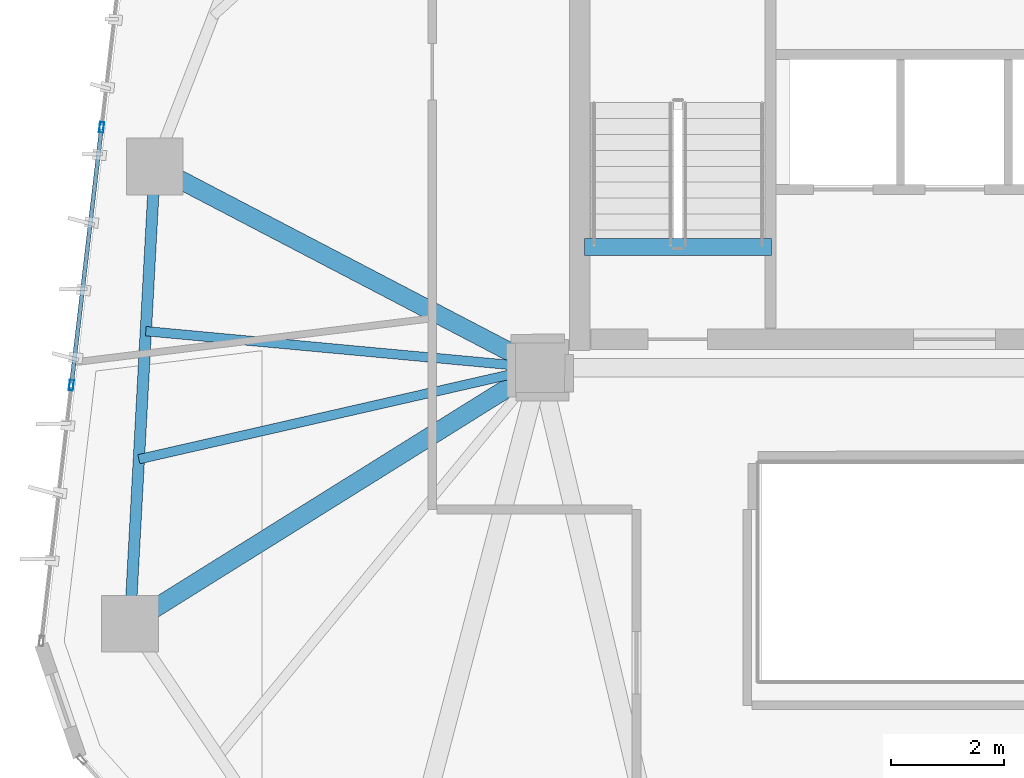
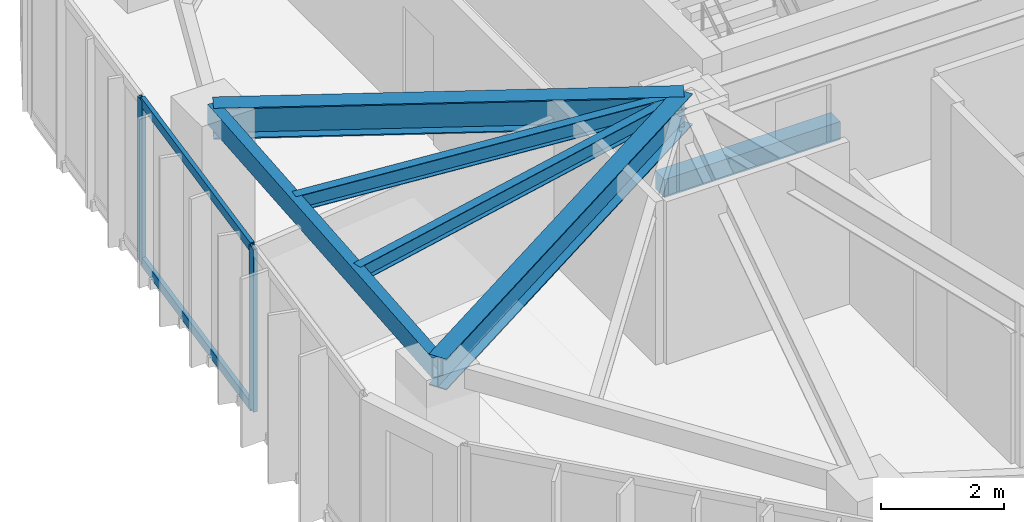
# One storey, part 8 of 22: 6 beams, 4 members, 1 element without a shape of its own.
"""IFC4 building model written with IfcOpenShell, lengths in metres."""

from ifc_helpers import new_model, si_unit, direction, frame, origin, origin_2d, place, context, subcontext, project, spatial, rectangle, hollow_rectangle, i_section, extrude, source, transform, mapped, material, layer, layer_set, material_profile, profile_set, type_object, type_shapes, element, aggregate, save


model = new_model("IFC4")

# Units and contexts
model_context = context("Model", 3, precision=1e-05, world=origin(), true_north=direction((0.0, 1.0)))
body_context = subcontext(model_context, "Body", "Model", "MODEL_VIEW")
ifc_project = project(units=[si_unit("LENGTHUNIT", "METRE"), si_unit("AREAUNIT", "SQUARE_METRE"), si_unit("VOLUMEUNIT", "CUBIC_METRE"), si_unit("PLANEANGLEUNIT", "RADIAN"), si_unit("MASSUNIT", "GRAM", prefix="KILO")], contexts=[model_context])

# Site, building, storey
site_placement = place(None, origin())
site = spatial("IfcSite", under=ifc_project, at=site_placement, CompositionType="ELEMENT")
building_placement = place(site_placement, origin())
building = spatial("IfcBuilding", under=site, at=building_placement, Name="Talar Marvaseh", CompositionType="ELEMENT")
storey_placement = place(building_placement, frame((0.0, 0.0, 208.199951171875)))
storey = spatial("IfcBuildingStorey", under=building, at=storey_placement, Name="L54", CompositionType="ELEMENT", Elevation=208.199951171875)

# Beams
ifc_material_1 = material(Name="Concrete C40/50", Category="concrete")
ifc_material_profile_1 = material_profile(ifc_material_1, rectangle(XDim=0.300048828125, YDim=0.360107421875, at=origin_2d()), Name="RC300x360")
ifc_profile_set_1 = profile_set([ifc_material_profile_1], Name="Concrete C40/50")
beam_type_1 = type_object("IfcBeamType", Name="Concrete Stair Landing Trimmer Beam RC300x360", PredefinedType="SPANDREL", material=ifc_profile_set_1)
beam_1_placement = place(storey_placement, frame((22.780029296875, 27.6298828125, -0.179931640625), z_axis=(-1.0, 0.0, 0.0), x_axis=(0.0, -1.0, 0.0)))
element("IfcBeam", 1, at=beam_1_placement, inside=storey, type_object=beam_type_1, Name="L54 ST-1 Stair Nosing Trimmer Beam", PredefinedType="SPANDREL", context=body_context, shape_type="SweptSolid", body=[
    extrude(rectangle(XDim=0.300048828125, YDim=0.360107421875, at=origin_2d()), origin(), (0.0, 0.0, 1.0), 3.300048828125),
])
ifc_material_2 = material(Name="Steel S355", Category="steel")
ifc_material_profile_2 = material_profile(ifc_material_2, hollow_rectangle(XDim=0.199951171875, YDim=0.39990234375, WallThickness=0.013916015625, at=origin_2d()), Name="RHS400x200x14")
ifc_profile_set_2 = profile_set([ifc_material_profile_2], Name="Steel S355")
beam_type_2 = type_object("IfcBeamType", Name="Zone 3 Perimeter Spandrel Beam RHS400x200x14", PredefinedType="SPANDREL", material=ifc_profile_set_2)
beam_2_placement = place(storey_placement, frame((11.471923828125, 20.986083984375, 3.030029296875), z_axis=(0.054148078426, 0.998532916635, 0.0), x_axis=(-0.998532916635, 0.054148078426, 0.0)))
element("IfcBeam", 2, at=beam_2_placement, inside=storey, type_object=beam_type_2, Name="L54 Zone 3 Perimeter Spandrel Beam RHS400x200x14", PredefinedType="SPANDREL", context=body_context, shape_type="SweptSolid", body=[
    extrude(hollow_rectangle(XDim=0.199951171875, YDim=0.39990234375, WallThickness=0.013916015625, at=origin_2d()), origin(), (0.0, 0.0, 1.0), 8.070556640625),
])
ifc_material_profile_3 = material_profile(ifc_material_2, i_section(OverallWidth=0.324951171875, OverallDepth=0.615966796875, WebThickness=0.013916015625, FlangeThickness=0.021484375, at=origin_2d()), Name="W610x174")
ifc_profile_set_3 = profile_set([ifc_material_profile_3], Name="Steel S355")
beam_type_3 = type_object("IfcBeamType", Name="Zone 3 Radial Floor Girder W610x174", PredefinedType="BEAM", material=ifc_profile_set_3)
beam_3_placement = place(storey_placement, frame((11.471923828125, 20.986083984375, 2.922119140625), z_axis=(0.848188171212, 0.52969503133, 0.0), x_axis=(-0.52969503133, 0.848188171212, 0.0)))
element("IfcBeam", 3, at=beam_3_placement, inside=storey, type_object=beam_type_3, Name="L54 Zone 3 Radial Floor Girder W610x174", PredefinedType="BEAM", context=body_context, shape_type="SweptSolid", body=[
    extrude(i_section(OverallWidth=0.324951171875, OverallDepth=0.615966796875, WebThickness=0.013916015625, FlangeThickness=0.021484375, at=origin_2d()), origin(), (0.0, 0.0, 1.0), 8.521728515625),
])
beam_4_placement = place(storey_placement, frame((11.908935546875, 29.044921875, 2.922119140625), z_axis=(0.886489360055, -0.462748975697, 0.0), x_axis=(0.462748975697, 0.886489360055, 0.0)))
element("IfcBeam", 4, at=beam_4_placement, inside=storey, type_object=beam_type_3, Name="L54 Zone 3 Radial Floor Girder W610x174", PredefinedType="BEAM", context=body_context, shape_type="SweptSolid", body=[
    extrude(i_section(OverallWidth=0.324951171875, OverallDepth=0.615966796875, WebThickness=0.013916015625, FlangeThickness=0.021484375, at=origin_2d()), origin(), (0.0, 0.0, 1.0), 7.66064453125),
])
ifc_material_profile_4 = material_profile(ifc_material_2, i_section(OverallWidth=0.166015625, OverallDepth=0.31298828125, WebThickness=0.006591796875, FlangeThickness=0.01123046875, at=origin_2d()), Name="W310x45")
ifc_profile_set_4 = profile_set([ifc_material_profile_4], Name="Steel S355")
beam_type_4 = type_object("IfcBeamType", Name="Zone 3 Secondary Floor Joist W310x45", PredefinedType="JOIST", material=ifc_profile_set_4)
beam_5_placement = place(storey_placement, frame((11.62939453125, 23.88720703125, 3.073486328125), z_axis=(0.974958279205, 0.222387845462, 0.0), x_axis=(-0.222387845462, 0.974958279205, 0.0)))
element("IfcBeam", 5, at=beam_5_placement, inside=storey, type_object=beam_type_4, Name="L54 Zone 3 Secondary Floor Joist W310x45", PredefinedType="JOIST", context=body_context, shape_type="SweptSolid", body=[
    extrude(i_section(OverallWidth=0.166015625, OverallDepth=0.31298828125, WebThickness=0.006591796875, FlangeThickness=0.01123046875, at=origin_2d()), origin(), (0.0, 0.0, 1.0), 7.252197265625),
])
beam_6_placement = place(storey_placement, frame((11.751708984375, 26.143798828125, 3.073486328125), z_axis=(0.995734842854, -0.092261165868, 0.0), x_axis=(0.092261165868, 0.995734842854, 0.0)))
element("IfcBeam", 6, at=beam_6_placement, inside=storey, type_object=beam_type_4, Name="L54 Zone 3 Secondary Floor Joist W310x45", PredefinedType="JOIST", context=body_context, shape_type="SweptSolid", body=[
    extrude(i_section(OverallWidth=0.166015625, OverallDepth=0.31298828125, WebThickness=0.006591796875, FlangeThickness=0.01123046875, at=origin_2d()), origin(), (0.0, 0.0, 1.0), 6.97802734375),
])

# Curtain wall, members
ifc_material_3 = material(Name="Architectural Aluminium", Category="aluminium")
ifc_layer = layer(ifc_material_3, 0.18994140625)
ifc_layer_set = layer_set([ifc_layer], Name="Architectural Aluminium")
curtain_wall_type = type_object("IfcCurtainWallType", Name="Unitised Solar Atelier Curtain Wall Z3", PredefinedType="NOTDEFINED", material=ifc_layer_set)
curtain_wall_placement = place(storey_placement, origin())
curtain_wall = element("IfcCurtainWall", 7, at=curtain_wall_placement, inside=storey, type_object=curtain_wall_type, Name="L54 Unitised Solar Atelier Curtain Wall Z3", PredefinedType="NOTDEFINED")
ifc_material_profile_5 = material_profile(ifc_material_3, hollow_rectangle(XDim=0.074951171875, YDim=0.179931640625, WallThickness=0.0048828125, at=origin_2d()), Name="RHS180x75x5")
ifc_profile_set_5 = profile_set([ifc_material_profile_5], Name="Architectural Aluminium")
member_type_1 = type_object("IfcMemberType", Name="Unitised Curtain Wall Standard Mullion RHS180x75x5", PredefinedType="MULLION", material=ifc_profile_set_5)
shared_shape_1 = source(origin(), body_context, "Body", "SweptSolid", [
    extrude(hollow_rectangle(XDim=0.074951171875, YDim=0.179931640625, WallThickness=0.0048828125, at=origin_2d()), origin(), (0.0, 0.0, 1.0), 3.22998046875),
])
type_shapes(member_type_1, [shared_shape_1])
member_1_placement = place(storey_placement, frame((10.440185546875, 25.191650390625, 0.0), z_axis=(0.0, 0.0, 1.0), x_axis=(-0.993206413634, 0.116365888114, 0.0)))
member_1 = element("IfcMember", 8, at=member_1_placement, type_object=member_type_1, Name="CW-Z3 mullion 2", PredefinedType="MULLION", context=body_context, shape_type="MappedRepresentation", body=[
    mapped(shared_shape_1, transform((0.0, 0.0, 0.0), x_axis=(1.0, 0.0, 0.0), y_axis=(0.0, 1.0, 0.0), z_axis=(0.0, 0.0, 1.0), scale=1.0)),
])
member_2_placement = place(storey_placement, frame((10.972900390625, 29.73779296875, 0.0), z_axis=(0.0, 0.0, 1.0), x_axis=(-0.993206413634, 0.116365888114, 0.0)))
member_2 = element("IfcMember", 9, at=member_2_placement, type_object=member_type_1, Name="CW-Z3 mullion 3", PredefinedType="MULLION", context=body_context, shape_type="MappedRepresentation", body=[
    mapped(shared_shape_1, transform((0.0, 0.0, 0.0), x_axis=(1.0, 0.0, 0.0), y_axis=(0.0, 1.0, 0.0), z_axis=(0.0, 0.0, 1.0), scale=1.0)),
])
ifc_material_profile_6 = material_profile(ifc_material_3, hollow_rectangle(XDim=0.074951171875, YDim=0.179931640625, WallThickness=0.0048828125, at=origin_2d()), Name="RHS180x75x5")
ifc_profile_set_6 = profile_set([ifc_material_profile_6], Name="Architectural Aluminium")
member_type_2 = type_object("IfcMemberType", Name="Unitised Curtain Wall Transom RHS180x75x5", PredefinedType="USERDEFINED", material=ifc_profile_set_6)
shared_shape_2 = source(origin(), body_context, "Body", "SweptSolid", [
    extrude(hollow_rectangle(XDim=0.074951171875, YDim=0.179931640625, WallThickness=0.0048828125, at=origin_2d()), origin(), (0.0, 0.0, 1.0), 4.502197265625),
])
type_shapes(member_type_2, [shared_shape_2])
member_3_placement = place(storey_placement, frame((10.444580078125, 25.228759765625, 0.03759765625), z_axis=(0.116369300377, 0.993206013841, 0.0), x_axis=(-0.993206013841, 0.116369300377, 0.0)))
member_3 = element("IfcMember", 10, at=member_3_placement, type_object=member_type_2, Name="CW-Z3 transom 2.1", ObjectType="TRANSOM", PredefinedType="USERDEFINED", context=body_context, shape_type="MappedRepresentation", body=[
    mapped(shared_shape_2, transform((0.0, 0.0, 0.0), x_axis=(1.0, 0.0, 0.0), y_axis=(0.0, 1.0, 0.0), z_axis=(0.0, 0.0, 1.0), scale=1.0)),
])
member_4_placement = place(storey_placement, frame((10.444580078125, 25.228759765625, 3.192626953125), z_axis=(0.116369300377, 0.993206013841, 0.0), x_axis=(-0.993206013841, 0.116369300377, 0.0)))
member_4 = element("IfcMember", 11, at=member_4_placement, type_object=member_type_2, Name="CW-Z3 transom 2.2", ObjectType="TRANSOM", PredefinedType="USERDEFINED", context=body_context, shape_type="MappedRepresentation", body=[
    mapped(shared_shape_2, transform((0.0, 0.0, 0.0), x_axis=(1.0, 0.0, 0.0), y_axis=(0.0, 1.0, 0.0), z_axis=(0.0, 0.0, 1.0), scale=1.0)),
])
aggregate(curtain_wall, [member_1, member_2, member_3, member_4])

save(model, "model.ifc")
